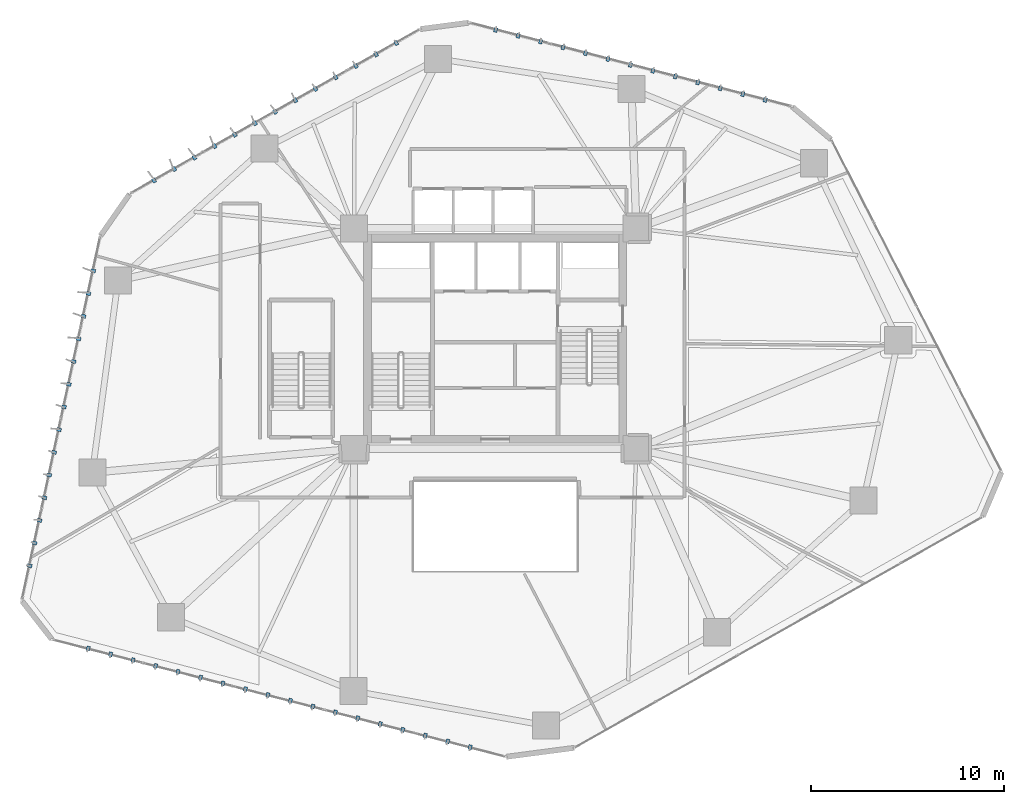
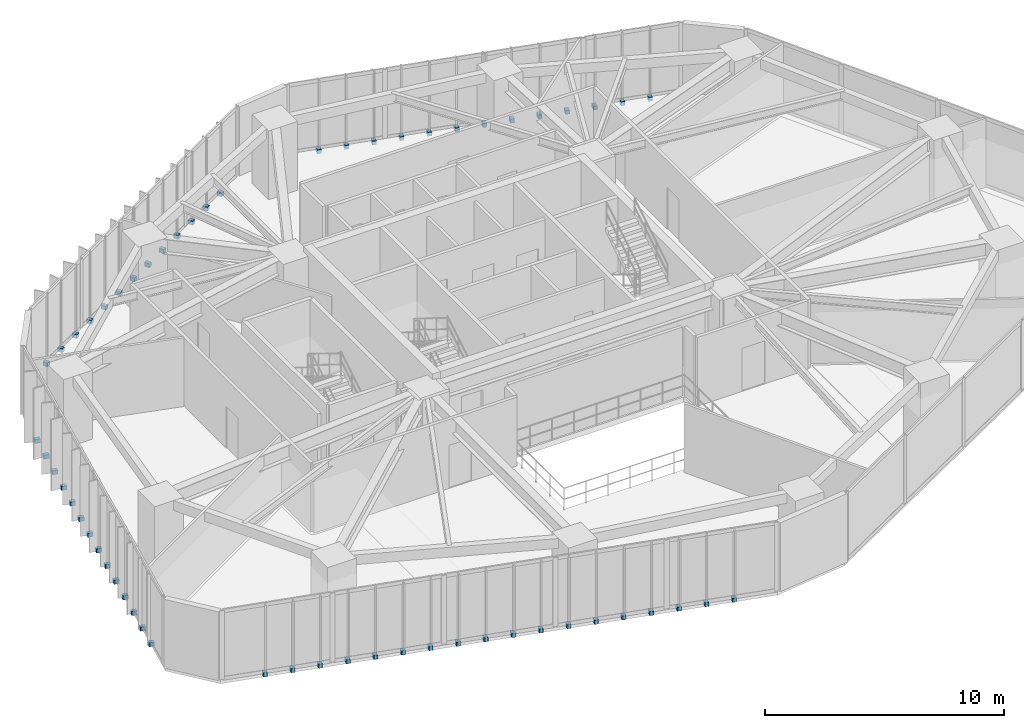
# One storey, part 20 of 23: 58 discrete accessories.
"""IFC4 building model written with IfcOpenShell, lengths in metres."""

import ifcopenshell
import ifcopenshell.guid

model = None  # the IFC model being written
_history = None  # IfcOwnerHistory: only IFC2X3 demands one
_inside = {}  # id of a spatial element -> (the spatial element, [elements in it])
_under = {}  # id of a project, library or spatial element -> (it, [spatial elements below it])
_declared = {}  # id of a project -> (the project, [libraries it declares])
_typed = {}  # id of a type object -> (the type object, [elements of that type])
_made_of = {}  # id of a material, layer set ... -> (it, [elements and type objects made of it])


def new_model(schema):
    """Start an empty IFC model of exactly this schema.

    Asked for "IFC4X3", IfcOpenShell would pick the latest addendum, in which some entities
    have other attributes; the version numbers below select the first issue.
    IFC2X3 requires an IfcOwnerHistory on every rooted entity: one is made here for all.
    """
    global model, _history
    if schema == "IFC4X3":
        model = ifcopenshell.file(schema_version=(4, 3, 0, 0))
    else:
        model = ifcopenshell.file(schema=schema)
    _inside.clear()
    _under.clear()
    _declared.clear()
    _typed.clear()
    _made_of.clear()
    _history = None
    if model.schema == "IFC2X3":
        org = make("IfcOrganization", Name="unknown")
        user = make(
            "IfcPersonAndOrganization",
            ThePerson=make("IfcPerson", FamilyName="unknown"),
            TheOrganization=org,
        )
        app = make(
            "IfcApplication",
            ApplicationDeveloper=org,
            Version="unknown",
            ApplicationFullName="unknown",
            ApplicationIdentifier="unknown",
        )
        _history = make(
            "IfcOwnerHistory",
            OwningUser=user,
            OwningApplication=app,
            ChangeAction="ADDED",
            CreationDate=0,
        )
    return model


def make(cls, **values):
    """One entity of the class cls with the attributes given. An attribute that is None is left unset."""
    return model.create_entity(
        cls, **{name: value for name, value in values.items() if value is not None}
    )


def rooted(cls, **values):
    """An entity with a GlobalId (a new one), such as an element, a storey or a relation."""
    return make(cls, GlobalId=ifcopenshell.guid.new(), OwnerHistory=_history, **values)


def si_unit(unit_type, name, prefix=None):
    """IfcSIUnit, for example si_unit("LENGTHUNIT", "METRE", prefix="MILLI")."""
    return make("IfcSIUnit", UnitType=unit_type, Prefix=prefix, Name=name)


def assignment(units):
    """IfcUnitAssignment: the units of a project."""
    return None if units is None else make("IfcUnitAssignment", Units=units)


def point(xyz):
    """IfcCartesianPoint."""
    return None if xyz is None else make("IfcCartesianPoint", Coordinates=xyz)


def direction(xyz):
    """IfcDirection."""
    return None if xyz is None else make("IfcDirection", DirectionRatios=xyz)


def frame(location, z_axis=None, x_axis=None):
    """IfcAxis2Placement3D, a coordinate frame: its origin and axes. An axis left out is left unset."""
    return make(
        "IfcAxis2Placement3D",
        Location=point(location),
        Axis=direction(z_axis),
        RefDirection=direction(x_axis),
    )


def frame_2d(location, x_axis=None):
    """IfcAxis2Placement2D, a coordinate frame in the plane: its origin and x axis."""
    return make(
        "IfcAxis2Placement2D", Location=point(location), RefDirection=direction(x_axis)
    )


def origin():
    """The frame at (0, 0, 0) with its axes left unset."""
    return frame((0.0, 0.0, 0.0))


def origin_2d():
    """The frame at (0, 0) in the plane with its x axis left unset."""
    return frame_2d((0.0, 0.0))


def place(relative_to, where):
    """IfcLocalPlacement: puts the frame where relative to a parent placement (None: the world)."""
    return make(
        "IfcLocalPlacement", PlacementRelTo=relative_to, RelativePlacement=where
    )


def context(
    kind, dimensions, precision=None, world=None, true_north=None, identifier=None
):
    """IfcGeometricRepresentationContext, for example the 3D "Model" context."""
    return make(
        "IfcGeometricRepresentationContext",
        ContextIdentifier=identifier,
        ContextType=kind,
        CoordinateSpaceDimension=dimensions,
        Precision=precision,
        WorldCoordinateSystem=world,
        TrueNorth=true_north,
    )


def subcontext(parent, identifier, kind, view, scale=None):
    """IfcGeometricRepresentationSubContext, for example "Body" below "Model"."""
    return make(
        "IfcGeometricRepresentationSubContext",
        ContextIdentifier=identifier,
        ContextType=kind,
        ParentContext=parent,
        TargetScale=scale,
        TargetView=view,
    )


def project(units=None, contexts=None):
    """IfcProject with its units and contexts."""
    return rooted(
        "IfcProject",
        Name="project",
        RepresentationContexts=contexts,
        UnitsInContext=assignment(units),
    )


def spatial(cls, under=None, at=None, **own):
    """A site, building, storey or space (cls), placed at a placement, below another one or the project."""
    s = rooted(cls, ObjectPlacement=at, **own)
    if under is not None:
        _under.setdefault(under.id(), (under, []))[1].append(s)
    return s


def profile(cls, at=None, kind="AREA", **sizes):
    """A parametric profile (cls). Its sizes go by their IFC names, for example OverallWidth=200.0."""
    return make(cls, ProfileType=kind, Position=at, **sizes)


def rectangle(**sizes):
    """IfcRectangleProfileDef."""
    return profile("IfcRectangleProfileDef", **sizes)


def extrude(swept, where, along, depth):
    """IfcExtrudedAreaSolid: the profile swept, set in the frame where, extruded along a direction by depth."""
    return make(
        "IfcExtrudedAreaSolid",
        SweptArea=swept,
        Position=where,
        ExtrudedDirection=direction(along),
        Depth=depth,
    )


def shape(context_of_items, identifier, shape_type, items):
    """IfcShapeRepresentation: the items that make up one representation, for example the "Body"."""
    return make(
        "IfcShapeRepresentation",
        ContextOfItems=context_of_items,
        RepresentationIdentifier=identifier,
        RepresentationType=shape_type,
        Items=items,
    )


def source(mapping_origin, context_of_items, identifier, shape_type, items):
    """IfcRepresentationMap: a shape defined once, which mapped items show again and again."""
    return make(
        "IfcRepresentationMap",
        MappingOrigin=mapping_origin,
        MappedRepresentation=shape(context_of_items, identifier, shape_type, items),
    )


def transform(
    local_origin,
    x_axis=None,
    y_axis=None,
    z_axis=None,
    scale=None,
    scale2=None,
    scale3=None,
    uniform=True,
):
    """IfcCartesianTransformationOperator3D, or its non-uniform kind. x_axis, y_axis, z_axis: its Axis1, 2, 3."""
    if uniform:
        return make(
            "IfcCartesianTransformationOperator3D",
            Axis1=direction(x_axis),
            Axis2=direction(y_axis),
            LocalOrigin=point(local_origin),
            Scale=scale,
            Axis3=direction(z_axis),
        )
    return make(
        "IfcCartesianTransformationOperator3DnonUniform",
        Axis1=direction(x_axis),
        Axis2=direction(y_axis),
        LocalOrigin=point(local_origin),
        Scale=scale,
        Axis3=direction(z_axis),
        Scale2=scale2,
        Scale3=scale3,
    )


def mapped(mapping_source, mapping_target):
    """IfcMappedItem: shows the shape of a source again, moved by a transform."""
    return make(
        "IfcMappedItem", MappingSource=mapping_source, MappingTarget=mapping_target
    )


def material(Name=None, Category=None):
    """IfcMaterial."""
    return make("IfcMaterial", Name=Name, Category=Category)


def made_of(thing, what):
    """Note that an element or type object is made of a material, layer set ...; save() writes the relation."""
    if what is not None:
        _made_of.setdefault(what.id(), (what, []))[1].append(thing)
    return thing


def type_object(cls, material=None, **own):
    """A type object (cls), such as IfcWallType, which elements share."""
    return made_of(rooted(cls, **own), material)


def type_shapes(of_type, sources):
    """Give a type object the sources (RepresentationMaps) that its elements show as mapped items."""
    of_type.RepresentationMaps = sources


def element(
    cls,
    number,
    at=None,
    inside=None,
    cuts=None,
    type_object=None,
    material=None,
    context=None,
    identifier="Body",
    shape_type=None,
    held_by="IfcProductDefinitionShape",
    body=None,
    shapes=None,
    **own,
):
    """One element of the class cls, such as IfcWall. Its Tag is "e" and its number.

    at: its placement. inside: the storey or other place that contains it. cuts: it is an
    opening in that element (IfcRelVoidsElement). A single representation is given by context,
    identifier, shape_type and body (its items); several are given by shapes. held_by: the class
    of the entity that holds the representations. save() writes the other relations.
    """
    e = rooted(cls, Tag="e%d" % number, ObjectPlacement=at, **own)
    if body is not None:
        shapes = [shape(context, identifier, shape_type, body)]
    if shapes is not None:
        e.Representation = make(held_by, Representations=shapes)
    if inside is not None:
        _inside.setdefault(inside.id(), (inside, []))[1].append(e)
    if cuts is not None:
        rooted(
            "IfcRelVoidsElement", RelatingBuildingElement=cuts, RelatedOpeningElement=e
        )
    if type_object is not None:
        _typed.setdefault(type_object.id(), (type_object, []))[1].append(e)
    return made_of(e, material)


def aggregate(whole, parts):
    """IfcRelAggregates: a whole, such as a stair, and the parts it consists of."""
    return rooted("IfcRelAggregates", RelatingObject=whole, RelatedObjects=parts)


def save(model, path):
    """Write the relations noted so far, then the file.

    IfcRelAggregates (storeys below a building ...), IfcRelContainedInSpatialStructure (elements
    in a storey), IfcRelDefinesByType, IfcRelAssociatesMaterial and IfcRelDeclares: one each for
    every whole, place, type object, material and project.
    """
    for whole, parts in _under.values():
        aggregate(whole, parts)
    for where, things in _inside.values():
        rooted(
            "IfcRelContainedInSpatialStructure",
            RelatedElements=things,
            RelatingStructure=where,
        )
    for kind, things in _typed.values():
        rooted("IfcRelDefinesByType", RelatedObjects=things, RelatingType=kind)
    for what, things in _made_of.values():
        rooted("IfcRelAssociatesMaterial", RelatedObjects=things, RelatingMaterial=what)
    for by, libraries in _declared.values():
        rooted("IfcRelDeclares", RelatingContext=by, RelatedDefinitions=libraries)
    model.write(path)


model = new_model("IFC4")

# Units and contexts
model_context = context("Model", 3, precision=1e-05, world=origin(), true_north=direction((0.0, 1.0)))
body_context = subcontext(model_context, "Body", "Model", "MODEL_VIEW")
ifc_project = project(units=[si_unit("LENGTHUNIT", "METRE"), si_unit("AREAUNIT", "SQUARE_METRE"), si_unit("VOLUMEUNIT", "CUBIC_METRE"), si_unit("PLANEANGLEUNIT", "RADIAN"), si_unit("MASSUNIT", "GRAM", prefix="KILO")], contexts=[model_context])

# Site, building, storey
site_placement = place(None, origin())
site = spatial("IfcSite", under=ifc_project, at=site_placement, CompositionType="ELEMENT")
building_placement = place(site_placement, origin())
building = spatial("IfcBuilding", under=site, at=building_placement, Name="Talar Marvaseh", CompositionType="ELEMENT")
storey_placement = place(building_placement, frame((0.0, 0.0, 46.800048828125)))
storey = spatial("IfcBuildingStorey", under=building, at=storey_placement, Name="L11", CompositionType="ELEMENT", Elevation=46.800048828125)

# Discrete accessories
ifc_material = material(Name="Stainless Steel Grade 316", Category="steel")
discrete_accessory_type = type_object("IfcDiscreteAccessoryType", Name="Stainless Slab-Edge Fin Mounting Bracket", PredefinedType="BRACKET", material=ifc_material)
shared_shape = source(origin(), body_context, "Body", "SweptSolid", [
    extrude(rectangle(XDim=0.239990234375, YDim=0.179931640625, at=origin_2d()), origin(), (0.0, 0.0, 1.0), 0.199951171875),
])
type_shapes(discrete_accessory_type, [shared_shape])
for number, where, z_axis, x_axis, name in (
    (1, (1.932861328125, 19.457763671875, -0.18017578125), (0.0, 0.0, 1.0), (-0.977599937765, 0.210471759821, 0.0), "L11 Vertical Fin Slab-Edge Bracket"),
    (2, (2.185302734375, 20.630859375, -0.18017578125), (0.0, 0.0, 1.0), (-0.977599937765, 0.210471759821, 0.0), "L11 Vertical Fin Slab-Edge Bracket"),
    (3, (2.43798828125, 21.803955078125, -0.18017578125), (0.0, 0.0, 1.0), (-0.977599937765, 0.210471759821, 0.0), "L11 Vertical Fin Slab-Edge Bracket"),
    (4, (2.690673828125, 22.97705078125, -0.18017578125), (0.0, 0.0, 1.0), (-0.977599937765, 0.210471759821, 0.0), "L11 Vertical Fin Slab-Edge Bracket"),
    (5, (2.943359375, 24.150146484375, -0.18017578125), (0.0, 0.0, 1.0), (-0.977599937765, 0.210471759821, 0.0), "L11 Vertical Fin Slab-Edge Bracket"),
    (6, (3.196044921875, 25.3232421875, -0.18017578125), (0.0, 0.0, 1.0), (-0.977599937765, 0.210471759821, 0.0), "L11 Vertical Fin Slab-Edge Bracket"),
    (7, (3.448486328125, 26.496337890625, -0.18017578125), (0.0, 0.0, 1.0), (-0.977599937765, 0.210471759821, 0.0), "L11 Vertical Fin Slab-Edge Bracket"),
    (8, (3.701416015625, 27.66943359375, -0.18017578125), (0.0, 0.0, 1.0), (-0.977599937765, 0.210471759821, 0.0), "L11 Vertical Fin Slab-Edge Bracket"),
    (9, (3.953857421875, 28.842529296875, -0.18017578125), (0.0, 0.0, 1.0), (-0.977599937765, 0.210471759821, 0.0), "L11 Vertical Fin Slab-Edge Bracket"),
    (10, (4.20654296875, 30.015625, -0.18017578125), (0.0, 0.0, 1.0), (-0.977599937765, 0.210471759821, 0.0), "L11 Vertical Fin Slab-Edge Bracket"),
    (11, (4.459228515625, 31.188720703125, -0.18017578125), (0.0, 0.0, 1.0), (-0.977599937765, 0.210471759821, 0.0), "L11 Vertical Fin Slab-Edge Bracket"),
    (12, (4.7119140625, 32.36181640625, -0.18017578125), (0.0, 0.0, 1.0), (-0.977599937765, 0.210471759821, 0.0), "L11 Vertical Fin Slab-Edge Bracket"),
    (13, (4.964599609375, 33.534912109375, -0.18017578125), (0.0, 0.0, 1.0), (-0.977599937765, 0.210471759821, 0.0), "L11 Vertical Fin Slab-Edge Bracket"),
    (14, (5.217041015625, 34.7080078125, -0.18017578125), (0.0, 0.0, 1.0), (-0.977599937765, 0.210471759821, 0.0), "L11 Vertical Fin Slab-Edge Bracket"),
    (15, (8.360595703125, 39.38134765625, -0.18017578125), (0.0, 0.0, 1.0), (-0.493486532416, 0.869753437661, 0.0), "L11 Vertical Fin Slab-Edge Bracket"),
    (16, (9.404296875, 39.973388671875, -0.18017578125), (0.0, 0.0, 1.0), (-0.493486532416, 0.869753437661, 0.0), "L11 Vertical Fin Slab-Edge Bracket"),
    (17, (10.4482421875, 40.565673828125, -0.18017578125), (0.0, 0.0, 1.0), (-0.493486532416, 0.869753437661, 0.0), "L11 Vertical Fin Slab-Edge Bracket"),
    (18, (11.491943359375, 41.15771484375, -0.18017578125), (0.0, 0.0, 1.0), (-0.493486532416, 0.869753437661, 0.0), "L11 Vertical Fin Slab-Edge Bracket"),
    (19, (12.53564453125, 41.749755859375, -0.18017578125), (0.0, 0.0, 1.0), (-0.493486532416, 0.869753437661, 0.0), "L11 Vertical Fin Slab-Edge Bracket"),
    (20, (13.579345703125, 42.342041015625, -0.18017578125), (0.0, 0.0, 1.0), (-0.493486532416, 0.869753437661, 0.0), "L11 Vertical Fin Slab-Edge Bracket"),
    (21, (14.623046875, 42.93408203125, -0.18017578125), (0.0, 0.0, 1.0), (-0.493486532416, 0.869753437661, 0.0), "L11 Vertical Fin Slab-Edge Bracket"),
    (22, (15.666748046875, 43.5263671875, -0.18017578125), (0.0, 0.0, 1.0), (-0.493486532416, 0.869753437661, 0.0), "L11 Vertical Fin Slab-Edge Bracket"),
    (23, (16.71044921875, 44.118408203125, -0.18017578125), (0.0, 0.0, 1.0), (-0.493486532416, 0.869753437661, 0.0), "L11 Vertical Fin Slab-Edge Bracket"),
    (24, (17.754150390625, 44.710693359375, -0.18017578125), (0.0, 0.0, 1.0), (-0.493486532416, 0.869753437661, 0.0), "L11 Vertical Fin Slab-Edge Bracket"),
    (25, (18.798095703125, 45.302734375, -0.18017578125), (0.0, 0.0, 1.0), (-0.493486532416, 0.869753437661, 0.0), "L11 Vertical Fin Slab-Edge Bracket"),
    (26, (19.841796875, 45.89501953125, -0.18017578125), (0.0, 0.0, 1.0), (-0.493486532416, 0.869753437661, 0.0), "L11 Vertical Fin Slab-Edge Bracket"),
    (27, (20.885498046875, 46.487060546875, -0.18017578125), (0.0, 0.0, 1.0), (-0.493486532416, 0.869753437661, 0.0), "L11 Vertical Fin Slab-Edge Bracket"),
    (28, (26.026123046875, 47.163818359375, -0.18017578125), (0.0, 0.0, 1.0), (0.251562632376, 0.967841021032, 0.0), "L11 Vertical Fin Slab-Edge Bracket"),
    (29, (27.1875, 46.862060546875, -0.18017578125), (0.0, 0.0, 1.0), (0.251562632376, 0.967841021032, 0.0), "L11 Vertical Fin Slab-Edge Bracket"),
    (30, (28.348876953125, 46.56005859375, -0.18017578125), (0.0, 0.0, 1.0), (0.251562632376, 0.967841021032, 0.0), "L11 Vertical Fin Slab-Edge Bracket"),
    (31, (29.51025390625, 46.25830078125, -0.18017578125), (0.0, 0.0, 1.0), (0.251562632376, 0.967841021032, 0.0), "L11 Vertical Fin Slab-Edge Bracket"),
    (32, (30.671875, 45.95654296875, -0.18017578125), (0.0, 0.0, 1.0), (0.251562632376, 0.967841021032, 0.0), "L11 Vertical Fin Slab-Edge Bracket"),
    (33, (31.833251953125, 45.654541015625, -0.18017578125), (0.0, 0.0, 1.0), (0.251562632376, 0.967841021032, 0.0), "L11 Vertical Fin Slab-Edge Bracket"),
    (34, (32.99462890625, 45.352783203125, -0.18017578125), (0.0, 0.0, 1.0), (0.251562632376, 0.967841021032, 0.0), "L11 Vertical Fin Slab-Edge Bracket"),
    (35, (34.156005859375, 45.051025390625, -0.18017578125), (0.0, 0.0, 1.0), (0.251562632376, 0.967841021032, 0.0), "L11 Vertical Fin Slab-Edge Bracket"),
    (36, (35.3173828125, 44.749267578125, -0.18017578125), (0.0, 0.0, 1.0), (0.251562632376, 0.967841021032, 0.0), "L11 Vertical Fin Slab-Edge Bracket"),
    (37, (36.47900390625, 44.447265625, -0.18017578125), (0.0, 0.0, 1.0), (0.251562632376, 0.967841021032, 0.0), "L11 Vertical Fin Slab-Edge Bracket"),
    (38, (37.640380859375, 44.1455078125, -0.18017578125), (0.0, 0.0, 1.0), (0.251562632376, 0.967841021032, 0.0), "L11 Vertical Fin Slab-Edge Bracket"),
    (39, (38.8017578125, 43.84375, -0.18017578125), (0.0, 0.0, 1.0), (0.251562632376, 0.967841021032, 0.0), "L11 Vertical Fin Slab-Edge Bracket"),
    (40, (39.963134765625, 43.541748046875, -0.18017578125), (0.0, 0.0, 1.0), (0.251562632376, 0.967841021032, 0.0), "L11 Vertical Fin Slab-Edge Bracket"),
    (41, (24.706298828125, 10.075439453125, -0.18017578125), (0.0, 0.0, 1.0), (-0.250211026602, -0.968191325187, 0.0), "L11 Vertical Fin Slab-Edge Bracket"),
    (42, (23.54443359375, 10.375732421875, -0.18017578125), (0.0, 0.0, 1.0), (-0.250211026602, -0.968191325187, 0.0), "L11 Vertical Fin Slab-Edge Bracket"),
    (43, (22.382568359375, 10.676025390625, -0.18017578125), (0.0, 0.0, 1.0), (-0.250211026602, -0.968191325187, 0.0), "L11 Vertical Fin Slab-Edge Bracket"),
    (44, (21.220703125, 10.976318359375, -0.18017578125), (0.0, 0.0, 1.0), (-0.250211026602, -0.968191325187, 0.0), "L11 Vertical Fin Slab-Edge Bracket"),
    (45, (20.058837890625, 11.276611328125, -0.18017578125), (0.0, 0.0, 1.0), (-0.250211026602, -0.968191325187, 0.0), "L11 Vertical Fin Slab-Edge Bracket"),
    (46, (18.897216796875, 11.576904296875, -0.18017578125), (0.0, 0.0, 1.0), (-0.250211026602, -0.968191325187, 0.0), "L11 Vertical Fin Slab-Edge Bracket"),
    (47, (17.7353515625, 11.877197265625, -0.18017578125), (0.0, 0.0, 1.0), (-0.250211026602, -0.968191325187, 0.0), "L11 Vertical Fin Slab-Edge Bracket"),
    (48, (16.573486328125, 12.177490234375, -0.18017578125), (0.0, 0.0, 1.0), (-0.250211026602, -0.968191325187, 0.0), "L11 Vertical Fin Slab-Edge Bracket"),
    (49, (15.41162109375, 12.4775390625, -0.18017578125), (0.0, 0.0, 1.0), (-0.250211026602, -0.968191325187, 0.0), "L11 Vertical Fin Slab-Edge Bracket"),
    (50, (14.249755859375, 12.77783203125, -0.18017578125), (0.0, 0.0, 1.0), (-0.250211026602, -0.968191325187, 0.0), "L11 Vertical Fin Slab-Edge Bracket"),
    (51, (13.087890625, 13.078125, -0.18017578125), (0.0, 0.0, 1.0), (-0.250211026602, -0.968191325187, 0.0), "L11 Vertical Fin Slab-Edge Bracket"),
    (52, (11.926025390625, 13.37841796875, -0.18017578125), (0.0, 0.0, 1.0), (-0.250211026602, -0.968191325187, 0.0), "L11 Vertical Fin Slab-Edge Bracket"),
    (53, (10.764404296875, 13.6787109375, -0.18017578125), (0.0, 0.0, 1.0), (-0.250211026602, -0.968191325187, 0.0), "L11 Vertical Fin Slab-Edge Bracket"),
    (54, (9.6025390625, 13.97900390625, -0.18017578125), (0.0, 0.0, 1.0), (-0.250211026602, -0.968191325187, 0.0), "L11 Vertical Fin Slab-Edge Bracket"),
    (55, (8.440673828125, 14.279296875, -0.18017578125), (0.0, 0.0, 1.0), (-0.250211026602, -0.968191325187, 0.0), "L11 Vertical Fin Slab-Edge Bracket"),
    (56, (7.27880859375, 14.57958984375, -0.18017578125), (0.0, 0.0, 1.0), (-0.250211026602, -0.968191325187, 0.0), "L11 Vertical Fin Slab-Edge Bracket"),
    (57, (6.116943359375, 14.8798828125, -0.18017578125), (0.0, 0.0, 1.0), (-0.250211026602, -0.968191325187, 0.0), "L11 Vertical Fin Slab-Edge Bracket"),
    (58, (4.955078125, 15.18017578125, -0.18017578125), (0.0, 0.0, 1.0), (-0.250211026602, -0.968191325187, 0.0), "L11 Vertical Fin Slab-Edge Bracket"),
):
    element("IfcDiscreteAccessory", number, at=place(storey_placement, frame(where, z_axis=z_axis, x_axis=x_axis)), inside=storey, type_object=discrete_accessory_type, Name=name, PredefinedType="BRACKET", context=body_context, shape_type="MappedRepresentation", body=[
        mapped(shared_shape, transform((0.0, 0.0, 0.0), x_axis=(1.0, 0.0, 0.0), y_axis=(0.0, 1.0, 0.0), z_axis=(0.0, 0.0, 1.0), scale=1.0)),
    ])

save(model, "model.ifc")
